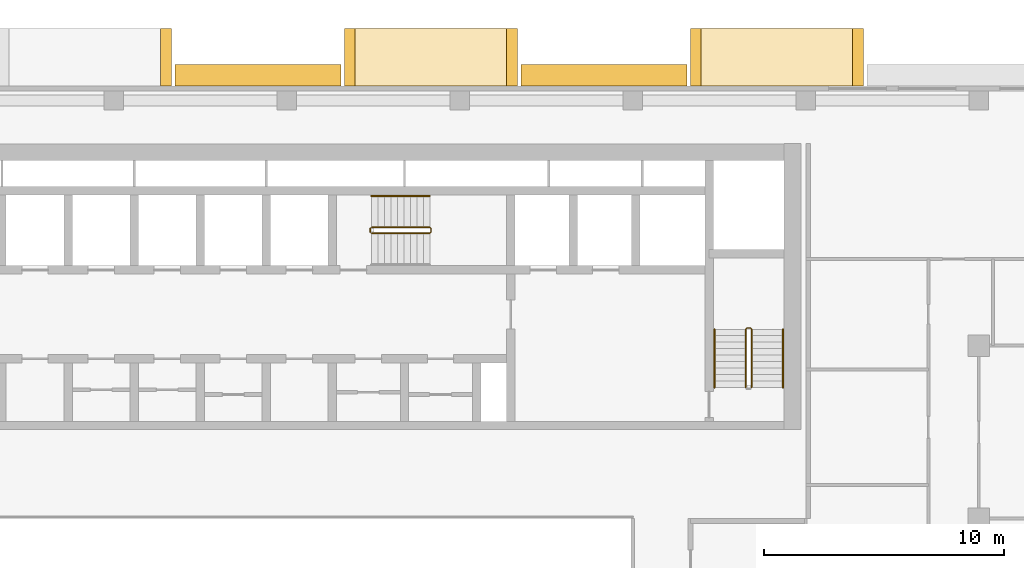
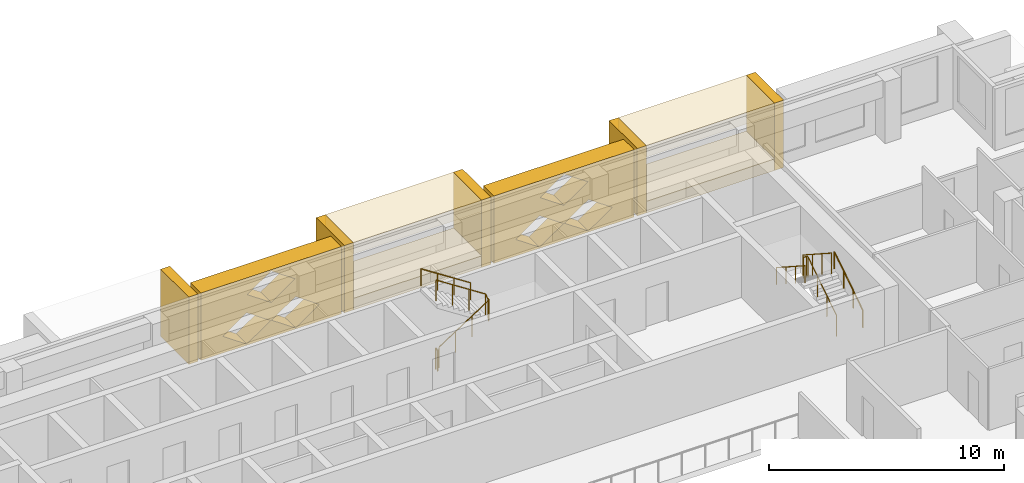
# One storey, part 19 of 20: 11 coverings, 6 railings.
"""IFC4 building model written with IfcOpenShell, lengths in metres."""

from ifc_helpers import new_model, si_unit, direction, frame, origin, origin_2d, place, context, subcontext, project, spatial, polyline, circle, outline, extrude, material, type_object, element, save


model = new_model("IFC4")

# Units and contexts
model_context = context("Model", 3, precision=1e-05, world=origin(), true_north=direction((0.0, 1.0)))
body_context = subcontext(model_context, "Body", "Model", "MODEL_VIEW")
ifc_project = project(units=[si_unit("LENGTHUNIT", "METRE"), si_unit("AREAUNIT", "SQUARE_METRE"), si_unit("VOLUMEUNIT", "CUBIC_METRE"), si_unit("PLANEANGLEUNIT", "RADIAN"), si_unit("MASSUNIT", "GRAM", prefix="KILO")], contexts=[model_context])

# Site, building, storey
site_placement = place(None, origin())
site = spatial("IfcSite", under=ifc_project, at=site_placement, CompositionType="ELEMENT")
building_placement = place(site_placement, origin())
building = spatial("IfcBuilding", under=site, at=building_placement, Name="Saffron Iwan Residences", CompositionType="ELEMENT")
storey_placement = place(building_placement, frame((0.0, 0.0, 181.5)))
storey = spatial("IfcBuildingStorey", under=building, at=storey_placement, Name="L48", CompositionType="ELEMENT", Elevation=181.5)

# Coverings
ifc_material_1 = material(Name="Precast concrete C40/50", Category="concrete")
covering_type_1 = type_object("IfcCoveringType", Name="OUTER SKIN LATTICE SCREEN", PredefinedType="CLADDING", material=ifc_material_1)
for number, where, z_axis, x_axis, name in (
    (1, (67.050048828125, 80.39990234375, -0.300048828125), (0.0, 1.0, 0.0), (-1.0, 0.0, 0.0), "OUTER SKIN lattice screen L48 F5.1"),
    (2, (52.64990234375, 80.39990234375, -0.300048828125), (0.0, 1.0, 0.0), (-1.0, 0.0, 0.0), "OUTER SKIN lattice screen L48 F5.2"),
):
    element("IfcCovering", number, at=place(storey_placement, frame(where, z_axis=z_axis, x_axis=x_axis)), inside=storey, type_object=covering_type_1, Name=name, PredefinedType="CLADDING", context=body_context, shape_type="SweptSolid", body=[
        extrude(outline(polyline([(0.0, 0.0), (6.89990234375, 0.0), (6.89990234375, 3.5), (0.0, 3.5), (0.0, 0.0)]), holes=[polyline([(1.070068359375, 0.875), (2.25, 0.06005859375), (3.429931640625, 0.875), (2.25, 1.68994140625), (1.070068359375, 0.875)]), polyline([(3.469970703125, 0.875), (4.64990234375, 0.06005859375), (5.830078125, 0.875), (4.64990234375, 1.68994140625), (3.469970703125, 0.875)]), polyline([(2.27001953125, 2.625), (3.449951171875, 1.81005859375), (4.6298828125, 2.625), (3.449951171875, 3.43994140625), (2.27001953125, 2.625)])]), origin(), (0.0, 0.0, 1.0), 0.900146484375),
    ])

# Railings
ifc_material_2 = material(Name="Steel S355", Category="steel")
railing_type_1 = type_object("IfcRailingType", Name="Stair guard 1100", PredefinedType="GUARDRAIL", material=ifc_material_2)
railing_1_placement = place(storey_placement, frame((53.925048828125, 74.27490234375, 0.175048828125)))
element("IfcRailing", 3, at=railing_1_placement, inside=storey, type_object=railing_type_1, Name="L48 ST-C stair guard 1", PredefinedType="GUARDRAIL", context=body_context, shape_type="SweptSolid", body=[
    extrude(circle(Radius=0.02392578125, at=origin_2d()), frame((0.0, 0.0, 1.076171875), z_axis=(0.839153699163, 0.0, 0.543894354798), x_axis=(0.0, 1.0, 0.0)), (0.0, 0.0, 1.0), 2.895751953125),
    extrude(circle(Radius=0.02392578125, at=origin_2d()), frame((2.429931640625, 0.0, 2.65087890625), z_axis=(0.707106781187, 0.707106781187, 0.0), x_axis=(-0.707106781187, 0.707106781187, 0.0)), (0.0, 0.0, 1.0), 0.07080078125),
    extrude(circle(Radius=0.02392578125, at=origin_2d()), frame((2.47998046875, 0.050048828125, 2.65087890625), z_axis=(0.0, 1.0, 0.0), x_axis=(-1.0, 0.0, 0.0)), (0.0, 0.0, 1.0), 0.150146484375),
    extrude(circle(Radius=0.02392578125, at=origin_2d()), frame((2.47998046875, 0.2001953125, 2.65087890625), z_axis=(-0.265155923931, 0.263862480399, 0.927399011991), x_axis=(-0.705375805398, -0.708833529934, 0.0)), (0.0, 0.0, 1.0), 0.188720703125),
    extrude(circle(Radius=0.02392578125, at=origin_2d()), frame((2.429931640625, 0.25, 2.826171875), z_axis=(-0.839153699163, 0.0, 0.543894354798), x_axis=(0.0, -1.0, 0.0)), (0.0, 0.0, 1.0), 2.895751953125),
    extrude(circle(Radius=0.02099609375, at=origin_2d()), origin(), (0.0, 0.0, 1.0), 1.052001953125),
    extrude(circle(Radius=0.02099609375, at=origin_2d()), frame((0.81005859375, 0.0, 0.52490234375)), (0.0, 0.0, 1.0), 1.052001953125),
    extrude(circle(Radius=0.02099609375, at=origin_2d()), frame((1.619873046875, 0.0, 1.050048828125)), (0.0, 0.0, 1.0), 1.052001953125),
    extrude(circle(Radius=0.02099609375, at=origin_2d()), frame((2.429931640625, 0.0, 1.574951171875)), (0.0, 0.0, 1.0), 1.052001953125),
    extrude(circle(Radius=0.02099609375, at=origin_2d()), frame((2.47998046875, 0.050048828125, 1.574951171875)), (0.0, 0.0, 1.0), 1.052001953125),
    extrude(circle(Radius=0.02099609375, at=origin_2d()), frame((2.47998046875, 0.2001953125, 1.574951171875)), (0.0, 0.0, 1.0), 1.052001953125),
    extrude(circle(Radius=0.02099609375, at=origin_2d()), frame((2.429931640625, 0.25, 1.75)), (0.0, 0.0, 1.0), 1.052001953125),
    extrude(circle(Radius=0.02099609375, at=origin_2d()), frame((1.619873046875, 0.25, 2.27490234375)), (0.0, 0.0, 1.0), 1.052001953125),
    extrude(circle(Radius=0.02099609375, at=origin_2d()), frame((0.81005859375, 0.25, 2.800048828125)), (0.0, 0.0, 1.0), 1.052001953125),
    extrude(circle(Radius=0.02099609375, at=origin_2d()), frame((0.0, 0.25, 3.324951171875)), (0.0, 0.0, 1.0), 1.052001953125),
])
railing_2_placement = place(storey_placement, frame((53.875, 74.324951171875, 0.0)))
element("IfcRailing", 4, at=railing_2_placement, inside=storey, type_object=railing_type_1, Name="L48 ST-C stair guard 2", PredefinedType="GUARDRAIL", context=body_context, shape_type="SweptSolid", body=[
    extrude(circle(Radius=0.02392578125, at=origin_2d()), frame((0.0, 0.0, 1.076171875), z_axis=(0.0, 1.0, 0.0), x_axis=(-1.0, 0.0, 0.0)), (0.0, 0.0, 1.0), 0.150146484375),
    extrude(circle(Radius=0.02099609375, at=origin_2d()), origin(), (0.0, 0.0, 1.0), 1.052001953125),
    extrude(circle(Radius=0.02099609375, at=origin_2d()), frame((0.0, 0.150146484375, 0.0)), (0.0, 0.0, 1.0), 1.052001953125),
])
railing_3_placement = place(storey_placement, frame((69.75, 67.85009765625, 0.175048828125)))
element("IfcRailing", 5, at=railing_3_placement, inside=storey, type_object=railing_type_1, Name="L48 ST-E stair guard 1", PredefinedType="GUARDRAIL", context=body_context, shape_type="SweptSolid", body=[
    extrude(circle(Radius=0.02392578125, at=origin_2d()), frame((0.0, 0.0, 1.076171875), z_axis=(0.0, 0.839153699163, 0.543894354798), x_axis=(-1.0, 0.0, 0.0)), (0.0, 0.0, 1.0), 2.895751953125),
    extrude(circle(Radius=0.02392578125, at=origin_2d()), frame((0.0, 2.429931640625, 2.65087890625), z_axis=(-0.707106781187, 0.707106781187, 0.0), x_axis=(-0.707106781187, -0.707106781187, 0.0)), (0.0, 0.0, 1.0), 0.07080078125),
    extrude(circle(Radius=0.02392578125, at=origin_2d()), frame((-0.050048828125, 2.47998046875, 2.65087890625), z_axis=(-1.0, 0.0, 0.0), x_axis=(0.0, -1.0, 0.0)), (0.0, 0.0, 1.0), 0.14990234375),
    extrude(circle(Radius=0.02392578125, at=origin_2d()), frame((-0.199951171875, 2.47998046875, 2.65087890625), z_axis=(-0.265065253269, -0.265065253269, 0.927081885822), x_axis=(0.707106781187, -0.707106781187, 0.0)), (0.0, 0.0, 1.0), 0.188720703125),
    extrude(circle(Radius=0.02392578125, at=origin_2d()), frame((-0.25, 2.429931640625, 2.826171875), z_axis=(0.0, -0.839153699163, 0.543894354798), x_axis=(1.0, 0.0, 0.0)), (0.0, 0.0, 1.0), 2.895751953125),
    extrude(circle(Radius=0.02099609375, at=origin_2d()), origin(), (0.0, 0.0, 1.0), 1.052001953125),
    extrude(circle(Radius=0.02099609375, at=origin_2d()), frame((0.0, 0.81005859375, 0.52490234375)), (0.0, 0.0, 1.0), 1.052001953125),
    extrude(circle(Radius=0.02099609375, at=origin_2d()), frame((0.0, 1.619873046875, 1.050048828125)), (0.0, 0.0, 1.0), 1.052001953125),
    extrude(circle(Radius=0.02099609375, at=origin_2d()), frame((0.0, 2.429931640625, 1.574951171875)), (0.0, 0.0, 1.0), 1.052001953125),
    extrude(circle(Radius=0.02099609375, at=origin_2d()), frame((-0.050048828125, 2.47998046875, 1.574951171875)), (0.0, 0.0, 1.0), 1.052001953125),
    extrude(circle(Radius=0.02099609375, at=origin_2d()), frame((-0.199951171875, 2.47998046875, 1.574951171875)), (0.0, 0.0, 1.0), 1.052001953125),
    extrude(circle(Radius=0.02099609375, at=origin_2d()), frame((-0.25, 2.429931640625, 1.75)), (0.0, 0.0, 1.0), 1.052001953125),
    extrude(circle(Radius=0.02099609375, at=origin_2d()), frame((-0.25, 1.619873046875, 2.27490234375)), (0.0, 0.0, 1.0), 1.052001953125),
    extrude(circle(Radius=0.02099609375, at=origin_2d()), frame((-0.25, 0.81005859375, 2.800048828125)), (0.0, 0.0, 1.0), 1.052001953125),
    extrude(circle(Radius=0.02099609375, at=origin_2d()), frame((-0.25, 0.0, 3.324951171875)), (0.0, 0.0, 1.0), 1.052001953125),
])
ifc_material_3 = material(Name="Stainless steel 316", Category="steel")
railing_type_2 = type_object("IfcRailingType", Name="Stair handrail 900", PredefinedType="HANDRAIL", material=ifc_material_3)
railing_4_placement = place(storey_placement, frame((56.35498046875, 75.824951171875, 1.925048828125)))
element("IfcRailing", 6, at=railing_4_placement, inside=storey, type_object=railing_type_2, Name="L48 ST-C stair handrail 2", PredefinedType="HANDRAIL", context=body_context, shape_type="SweptSolid", body=[
    extrude(circle(Radius=0.02392578125, at=origin_2d()), frame((0.0, 0.0, 0.8759765625), z_axis=(-0.839153699163, 0.0, 0.543894354798), x_axis=(0.0, -1.0, 0.0)), (0.0, 0.0, 1.0), 2.895751953125),
    extrude(circle(Radius=0.02099609375, at=origin_2d()), origin(), (0.0, 0.0, 1.0), 0.851806640625),
    extrude(circle(Radius=0.02099609375, at=origin_2d()), frame((-0.81005859375, 0.0, 0.52490234375)), (0.0, 0.0, 1.0), 0.851806640625),
    extrude(circle(Radius=0.02099609375, at=origin_2d()), frame((-1.619873046875, 0.0, 1.050048828125)), (0.0, 0.0, 1.0), 0.851806640625),
    extrude(circle(Radius=0.02099609375, at=origin_2d()), frame((-2.429931640625, 0.0, 1.574951171875)), (0.0, 0.0, 1.0), 0.851806640625),
])
railing_5_placement = place(storey_placement, frame((71.050048828125, 67.85009765625, 0.175048828125)))
element("IfcRailing", 7, at=railing_5_placement, inside=storey, type_object=railing_type_2, Name="L48 ST-E stair handrail 1", PredefinedType="HANDRAIL", context=body_context, shape_type="SweptSolid", body=[
    extrude(circle(Radius=0.02392578125, at=origin_2d()), frame((0.0, 0.0, 0.8759765625), z_axis=(0.0, 0.839153699163, 0.543894354798), x_axis=(-1.0, 0.0, 0.0)), (0.0, 0.0, 1.0), 2.895751953125),
    extrude(circle(Radius=0.02099609375, at=origin_2d()), origin(), (0.0, 0.0, 1.0), 0.851806640625),
    extrude(circle(Radius=0.02099609375, at=origin_2d()), frame((0.0, 0.81005859375, 0.52490234375)), (0.0, 0.0, 1.0), 0.851806640625),
    extrude(circle(Radius=0.02099609375, at=origin_2d()), frame((0.0, 1.619873046875, 1.050048828125)), (0.0, 0.0, 1.0), 0.851806640625),
    extrude(circle(Radius=0.02099609375, at=origin_2d()), frame((0.0, 2.429931640625, 1.574951171875)), (0.0, 0.0, 1.0), 0.851806640625),
])
railing_6_placement = place(storey_placement, frame((68.199951171875, 70.280029296875, 1.925048828125)))
element("IfcRailing", 8, at=railing_6_placement, inside=storey, type_object=railing_type_2, Name="L48 ST-E stair handrail 2", PredefinedType="HANDRAIL", context=body_context, shape_type="SweptSolid", body=[
    extrude(circle(Radius=0.02392578125, at=origin_2d()), frame((0.0, 0.0, 0.8759765625), z_axis=(0.0, -0.839153699163, 0.543894354798), x_axis=(1.0, 0.0, 0.0)), (0.0, 0.0, 1.0), 2.895751953125),
    extrude(circle(Radius=0.02099609375, at=origin_2d()), origin(), (0.0, 0.0, 1.0), 0.851806640625),
    extrude(circle(Radius=0.02099609375, at=origin_2d()), frame((0.0, -0.81005859375, 0.52490234375)), (0.0, 0.0, 1.0), 0.851806640625),
    extrude(circle(Radius=0.02099609375, at=origin_2d()), frame((0.0, -1.619873046875, 1.050048828125)), (0.0, 0.0, 1.0), 0.851806640625),
    extrude(circle(Radius=0.02099609375, at=origin_2d()), frame((0.0, -2.429931640625, 1.574951171875)), (0.0, 0.0, 1.0), 0.851806640625),
])

# Coverings
ifc_material_4 = material(Name="Precast concrete C40/50 white painted", Category="concrete")
covering_type_2 = type_object("IfcCoveringType", Name="WHITE SUN FRAME PRECAST", PredefinedType="CLADDING", material=ifc_material_4)
for number, where, z_axis, x_axis, name in (
    (9, (74.39990234375, 80.39990234375, -0.300048828125), (0.0, 1.0, 0.0), (-1.0, 0.0, 0.0), "Sun frame L48 F5 8.4a"),
    (10, (67.64990234375, 80.39990234375, -0.300048828125), (0.0, 1.0, 0.0), (-1.0, 0.0, 0.0), "Sun frame L48 F5 8.4b"),
):
    element("IfcCovering", number, at=place(storey_placement, frame(where, z_axis=z_axis, x_axis=x_axis)), inside=storey, type_object=covering_type_2, Name=name, PredefinedType="CLADDING", context=body_context, shape_type="SweptSolid", body=[
        extrude(outline(polyline([(0.0, 0.0), (0.449951171875, 0.0), (0.449951171875, 3.5), (0.0, 3.5), (0.0, 0.0)])), origin(), (0.0, 0.0, 1.0), 2.400146484375),
    ])
for number, where, z_axis, x_axis, name in (
    (11, (73.949951171875, 80.39990234375, 2.60009765625), (0.0, 1.0, 0.0), (-1.0, 0.0, 0.0), "Sun frame L48 F5 8.4h"),
    (12, (73.949951171875, 80.39990234375, -0.300048828125), (0.0, 1.0, 0.0), (-1.0, 0.0, 0.0), "Sun frame L48 F5 8.4s"),
):
    element("IfcCovering", number, at=place(storey_placement, frame(where, z_axis=z_axis, x_axis=x_axis)), inside=storey, type_object=covering_type_2, Name=name, PredefinedType="CLADDING", context=body_context, shape_type="SweptSolid", body=[
        extrude(outline(polyline([(0.0, 0.0), (6.300048828125, 0.0), (6.300048828125, 0.60009765625), (0.0, 0.60009765625), (0.0, 0.0)])), origin(), (0.0, 0.0, 1.0), 2.400146484375),
    ])
for number, where, z_axis, x_axis, name in (
    (13, (60.0, 80.39990234375, -0.300048828125), (0.0, 1.0, 0.0), (-1.0, 0.0, 0.0), "Sun frame L48 F5 22.8a"),
    (14, (53.25, 80.39990234375, -0.300048828125), (0.0, 1.0, 0.0), (-1.0, 0.0, 0.0), "Sun frame L48 F5 22.8b"),
):
    element("IfcCovering", number, at=place(storey_placement, frame(where, z_axis=z_axis, x_axis=x_axis)), inside=storey, type_object=covering_type_2, Name=name, PredefinedType="CLADDING", context=body_context, shape_type="SweptSolid", body=[
        extrude(outline(polyline([(0.0, 0.0), (0.449951171875, 0.0), (0.449951171875, 3.5), (0.0, 3.5), (0.0, 0.0)])), origin(), (0.0, 0.0, 1.0), 2.400146484375),
    ])
for number, where, z_axis, x_axis, name in (
    (15, (59.550048828125, 80.39990234375, 2.60009765625), (0.0, 1.0, 0.0), (-1.0, 0.0, 0.0), "Sun frame L48 F5 22.8h"),
    (16, (59.550048828125, 80.39990234375, -0.300048828125), (0.0, 1.0, 0.0), (-1.0, 0.0, 0.0), "Sun frame L48 F5 22.8s"),
):
    element("IfcCovering", number, at=place(storey_placement, frame(where, z_axis=z_axis, x_axis=x_axis)), inside=storey, type_object=covering_type_2, Name=name, PredefinedType="CLADDING", context=body_context, shape_type="SweptSolid", body=[
        extrude(outline(polyline([(0.0, 0.0), (6.300048828125, 0.0), (6.300048828125, 0.60009765625), (0.0, 0.60009765625), (0.0, 0.0)])), origin(), (0.0, 0.0, 1.0), 2.400146484375),
    ])
covering_placement = place(storey_placement, frame((45.60009765625, 80.39990234375, -0.300048828125), z_axis=(0.0, 1.0, 0.0), x_axis=(-1.0, 0.0, 0.0)))
element("IfcCovering", 17, at=covering_placement, inside=storey, type_object=covering_type_2, Name="Sun frame L48 F5 37.2a", PredefinedType="CLADDING", context=body_context, shape_type="SweptSolid", body=[
    extrude(outline(polyline([(0.0, 0.0), (0.449951171875, 0.0), (0.449951171875, 3.5), (0.0, 3.5), (0.0, 0.0)])), origin(), (0.0, 0.0, 1.0), 2.400146484375),
])

save(model, "model.ifc")
